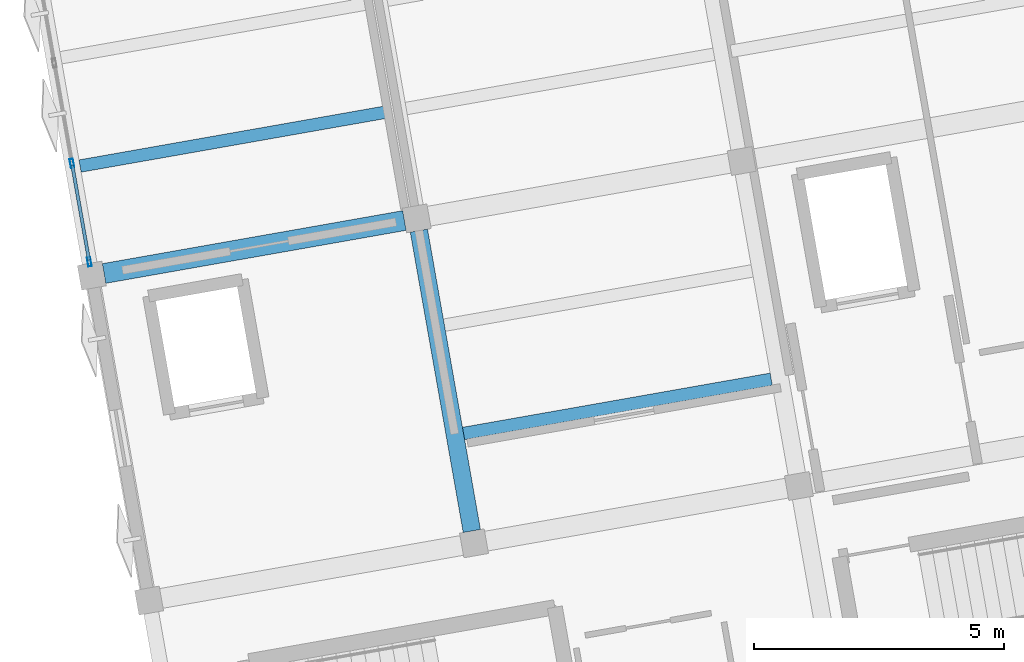
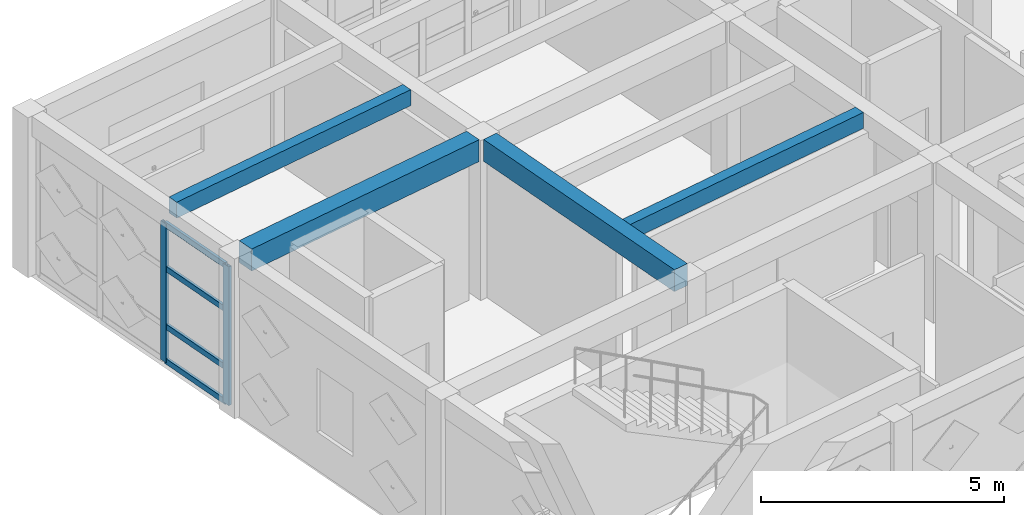
# One storey, part 2 of 15: 6 members, 4 beams, 1 element without a shape of its own.
"""IFC4 building model written with IfcOpenShell, lengths in metres."""

from ifc_helpers import new_model, si_unit, direction, frame, origin, origin_2d, place, context, subcontext, project, spatial, rectangle, hollow_rectangle, extrude, material, layer, layer_set, material_profile, profile_set, type_object, element, aggregate, save


model = new_model("IFC4")

# Units and contexts
model_context = context("Model", 3, precision=1e-05, world=origin(), true_north=direction((0.0, 1.0)))
body_context = subcontext(model_context, "Body", "Model", "MODEL_VIEW")
ifc_project = project(units=[si_unit("LENGTHUNIT", "METRE"), si_unit("AREAUNIT", "SQUARE_METRE"), si_unit("VOLUMEUNIT", "CUBIC_METRE"), si_unit("PLANEANGLEUNIT", "RADIAN"), si_unit("MASSUNIT", "GRAM", prefix="KILO")], contexts=[model_context])

# Site, building, storey
site_placement = place(None, origin())
site = spatial("IfcSite", under=ifc_project, at=site_placement, CompositionType="ELEMENT")
building_placement = place(site_placement, origin())
building = spatial("IfcBuilding", under=site, at=building_placement, Name="Kharisveld Research Institute", CompositionType="ELEMENT")
storey_placement = place(building_placement, frame((0.0, 0.0, 40.800048828125)))
storey = spatial("IfcBuildingStorey", under=building, at=storey_placement, Name="L09", CompositionType="ELEMENT", Elevation=40.800048828125)

# Beams
ifc_material_1 = material(Name="Concrete C40/50", Category="concrete")
ifc_material_profile_1 = material_profile(ifc_material_1, rectangle(XDim=0.35009765625, YDim=0.550048828125, at=origin_2d()))
ifc_profile_set_1 = profile_set([ifc_material_profile_1], Name="Concrete C40/50")
beam_type_1 = type_object("IfcBeamType", Name="BM_RC_350x550", PredefinedType="BEAM", material=ifc_profile_set_1)
beam_1_placement = place(storey_placement, frame((10.51025390625, 42.902099609375, 3.73486328125), z_axis=(-0.173659757005, 0.984805711192, 0.0), x_axis=(-0.984805711192, -0.173659757005, 0.0)))
element("IfcBeam", 1, at=beam_1_placement, inside=storey, type_object=beam_type_1, Name="BM:V1:L09:V1_1", PredefinedType="BEAM", context=body_context, shape_type="SweptSolid", body=[
    extrude(rectangle(XDim=0.35009765625, YDim=0.550048828125, at=origin_2d()), origin(), (0.0, 0.0, 1.0), 6.10009765625),
])
ifc_material_2 = material(Name="Concrete C40/50", Category="concrete")
ifc_material_profile_2 = material_profile(ifc_material_2, rectangle(XDim=0.39990234375, YDim=0.550048828125, at=origin_2d()))
ifc_profile_set_2 = profile_set([ifc_material_profile_2], Name="Concrete C40/50")
beam_type_2 = type_object("IfcBeamType", Name="BM_RC_400x550", PredefinedType="BEAM", material=ifc_profile_set_2)
beam_2_placement = place(storey_placement, frame((3.154052734375, 48.052978515625, 3.73486328125), z_axis=(0.984812555252, 0.173620940611, 0.0), x_axis=(-0.173620940611, 0.984812555252, 0.0)))
element("IfcBeam", 2, at=beam_2_placement, inside=storey, type_object=beam_type_2, Name="BM:V1:L09:U0_2", PredefinedType="BEAM", context=body_context, shape_type="SweptSolid", body=[
    extrude(rectangle(XDim=0.39990234375, YDim=0.550048828125, at=origin_2d()), origin(), (0.0, 0.0, 1.0), 6.099853515625),
])

# Curtain wall, members
ifc_material_3 = material(Name="Thermally Broken Aluminium Curtain Wall", Category="aluminium")
ifc_layer = layer(ifc_material_3, 0.159912109375)
ifc_layer_set = layer_set([ifc_layer], Name="CW_SYS_06")
curtain_wall_type = type_object("IfcCurtainWallType", Name="CW_SYS_06", PredefinedType="NOTDEFINED", material=ifc_layer_set)
curtain_wall_placement = place(storey_placement, origin())
curtain_wall = element("IfcCurtainWall", 3, at=curtain_wall_placement, inside=storey, type_object=curtain_wall_type, Name="CW:V1:L09:W2", PredefinedType="NOTDEFINED")
ifc_material_4 = material(Name="Anodised Aluminium AW-6063-T6", Category="aluminium")
ifc_material_profile_3 = material_profile(ifc_material_4, hollow_rectangle(XDim=0.070068359375, YDim=0.179931640625, WallThickness=0.00439453125, at=origin_2d()))
ifc_profile_set_3 = profile_set([ifc_material_profile_3], Name="Anodised Aluminium AW-6063-T6")
member_type_1 = type_object("IfcMemberType", Name="CW_MUL_180", PredefinedType="MULLION", material=ifc_profile_set_3)
member_1_placement = place(storey_placement, frame((2.859130859375, 48.28515625, 0.0), z_axis=(0.0, 0.0, 1.0), x_axis=(-0.984807766347, -0.173648102039, 0.0)))
member_1 = element("IfcMember", 4, at=member_1_placement, type_object=member_type_1, Name="CW-06 mullion 1", PredefinedType="MULLION", context=body_context, shape_type="SweptSolid", body=[
    extrude(hollow_rectangle(XDim=0.070068359375, YDim=0.179931640625, WallThickness=0.00439453125, at=origin_2d()), origin(), (0.0, 0.0, 1.0), 3.47998046875),
])
member_2_placement = place(storey_placement, frame((2.51171875, 50.25634765625, 0.0), z_axis=(0.0, 0.0, 1.0), x_axis=(-0.984807766347, -0.173648102039, 0.0)))
member_2 = element("IfcMember", 5, at=member_2_placement, type_object=member_type_1, Name="CW-06 mullion 2", PredefinedType="MULLION", context=body_context, shape_type="SweptSolid", body=[
    extrude(hollow_rectangle(XDim=0.070068359375, YDim=0.179931640625, WallThickness=0.00439453125, at=origin_2d()), origin(), (0.0, 0.0, 1.0), 3.47998046875),
])
ifc_material_5 = material(Name="Anodised Aluminium AW-6063-T6", Category="aluminium")
ifc_material_profile_4 = material_profile(ifc_material_5, hollow_rectangle(XDim=0.06494140625, YDim=0.139892578125, WallThickness=0.00390625, at=origin_2d()))
ifc_profile_set_4 = profile_set([ifc_material_profile_4], Name="Anodised Aluminium AW-6063-T6")
member_type_2 = type_object("IfcMemberType", Name="CW_TRN_140", PredefinedType="USERDEFINED", material=ifc_profile_set_4)
member_3_placement = place(storey_placement, frame((2.85302734375, 48.319580078125, 0.032470703125), z_axis=(-0.173532973053, 0.984828059746, 0.0), x_axis=(-0.984828059746, -0.173532973053, 0.0)))
member_3 = element("IfcMember", 6, at=member_3_placement, type_object=member_type_2, Name="CW-06 transom 1.1", ObjectType="TRANSOM", PredefinedType="USERDEFINED", context=body_context, shape_type="SweptSolid", body=[
    extrude(hollow_rectangle(XDim=0.06494140625, YDim=0.139892578125, WallThickness=0.00390625, at=origin_2d()), origin(), (0.0, 0.0, 1.0), 1.931640625),
])
member_4_placement = place(storey_placement, frame((2.85302734375, 48.319580078125, 0.89990234375), z_axis=(-0.173532973053, 0.984828059746, 0.0), x_axis=(-0.984828059746, -0.173532973053, 0.0)))
member_4 = element("IfcMember", 7, at=member_4_placement, type_object=member_type_2, Name="CW-06 transom 1.2", ObjectType="TRANSOM", PredefinedType="USERDEFINED", context=body_context, shape_type="SweptSolid", body=[
    extrude(hollow_rectangle(XDim=0.06494140625, YDim=0.139892578125, WallThickness=0.00390625, at=origin_2d()), origin(), (0.0, 0.0, 1.0), 1.931640625),
])
member_5_placement = place(storey_placement, frame((2.85302734375, 48.319580078125, 2.349853515625), z_axis=(-0.173532973053, 0.984828059746, 0.0), x_axis=(-0.984828059746, -0.173532973053, 0.0)))
member_5 = element("IfcMember", 8, at=member_5_placement, type_object=member_type_2, Name="CW-06 transom 1.3", ObjectType="TRANSOM", PredefinedType="USERDEFINED", context=body_context, shape_type="SweptSolid", body=[
    extrude(hollow_rectangle(XDim=0.06494140625, YDim=0.139892578125, WallThickness=0.00390625, at=origin_2d()), origin(), (0.0, 0.0, 1.0), 1.931640625),
])
member_6_placement = place(storey_placement, frame((2.85302734375, 48.319580078125, 3.447509765625), z_axis=(-0.173532973053, 0.984828059746, 0.0), x_axis=(-0.984828059746, -0.173532973053, 0.0)))
member_6 = element("IfcMember", 9, at=member_6_placement, type_object=member_type_2, Name="CW-06 transom 1.4", ObjectType="TRANSOM", PredefinedType="USERDEFINED", context=body_context, shape_type="SweptSolid", body=[
    extrude(hollow_rectangle(XDim=0.06494140625, YDim=0.139892578125, WallThickness=0.00390625, at=origin_2d()), origin(), (0.0, 0.0, 1.0), 1.931640625),
])
aggregate(curtain_wall, [member_1, member_2, member_3, member_4, member_5, member_6])

# Beams
ifc_material_6 = material(Name="Concrete C40/50", Category="concrete")
ifc_material_profile_5 = material_profile(ifc_material_6, rectangle(XDim=0.25, YDim=0.39990234375, at=origin_2d()))
ifc_profile_set_5 = profile_set([ifc_material_profile_5], Name="Concrete C40/50")
beam_type_3 = type_object("IfcBeamType", Name="WB_RC_250x400", PredefinedType="JOIST", material=ifc_profile_set_5)
beam_3_placement = place(storey_placement, frame((2.673583984375, 50.2021484375, 3.81005859375), z_axis=(0.9848090074, 0.173641063528, 0.0), x_axis=(-0.173641063528, 0.9848090074, 0.0)))
element("IfcBeam", 10, at=beam_3_placement, inside=storey, type_object=beam_type_3, Name="BM:V1:L09:J_0_2_R1", PredefinedType="JOIST", context=body_context, shape_type="SweptSolid", body=[
    extrude(rectangle(XDim=0.25, YDim=0.39990234375, at=origin_2d()), origin(), (0.0, 0.0, 1.0), 6.27490234375),
])
beam_4_placement = place(storey_placement, frame((10.343994140625, 44.852783203125, 3.81005859375), z_axis=(0.984810288083, 0.17363379995, 0.0), x_axis=(-0.17363379995, 0.984810288083, 0.0)))
element("IfcBeam", 11, at=beam_4_placement, inside=storey, type_object=beam_type_3, Name="BM:V1:L09:J_1_1_R1", PredefinedType="JOIST", context=body_context, shape_type="SweptSolid", body=[
    extrude(rectangle(XDim=0.25, YDim=0.39990234375, at=origin_2d()), origin(), (0.0, 0.0, 1.0), 6.25),
])

save(model, "model.ifc")
